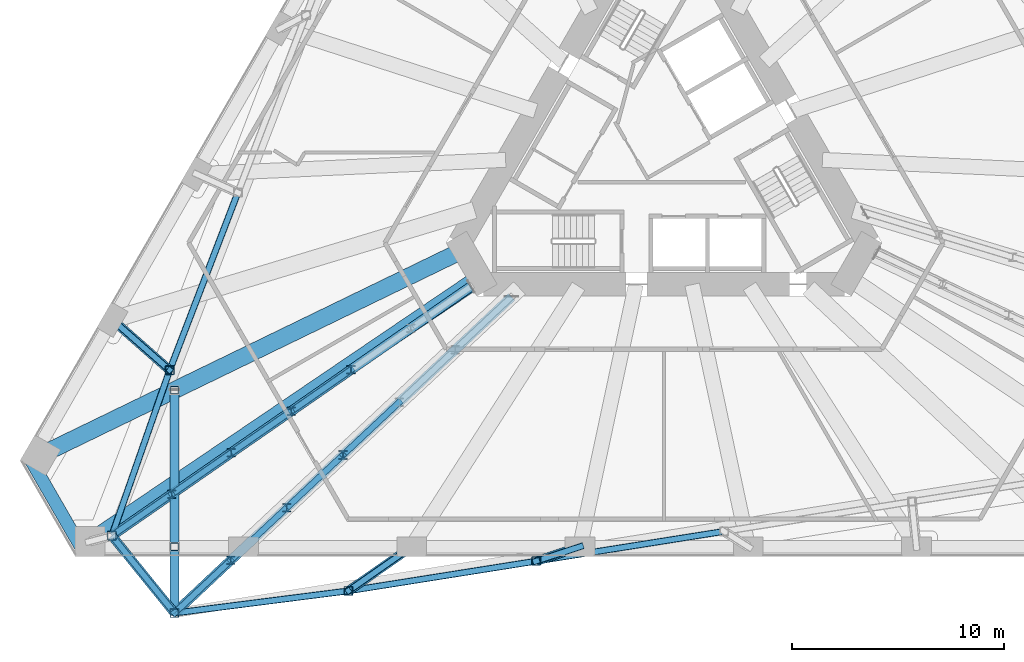
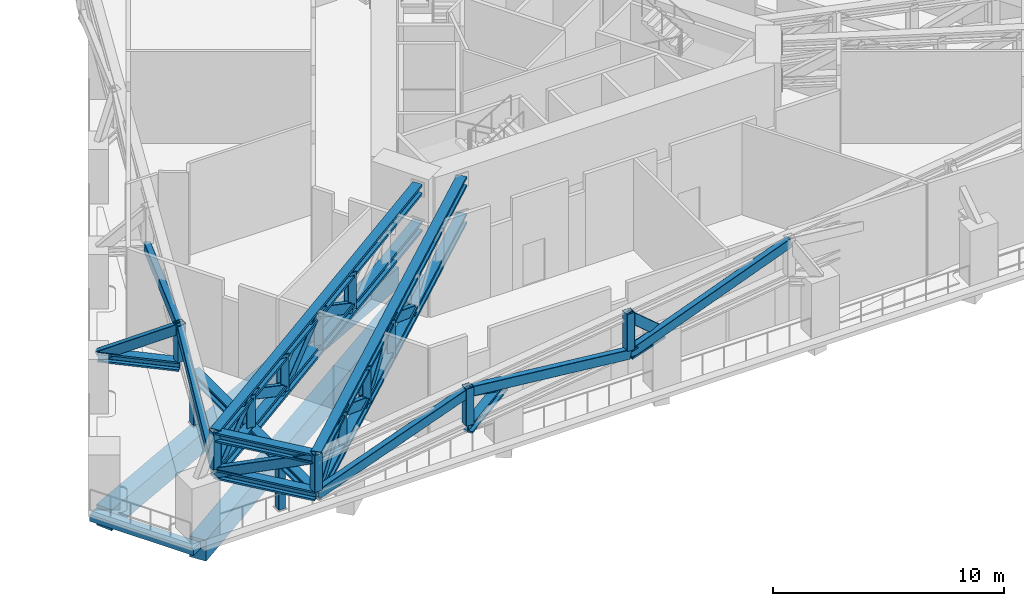
# One storey, part 2 of 20: 41 members, 3 beams.
"""IFC4 building model written with IfcOpenShell, lengths in metres."""

from ifc_helpers import new_model, si_unit, direction, frame, origin, origin_2d, place, context, subcontext, project, spatial, rectangle, hollow_rectangle, i_section, extrude, material, material_profile, profile_set, type_object, element, save


model = new_model("IFC4")

# Units and contexts
model_context = context("Model", 3, precision=1e-05, world=origin(), true_north=direction((0.0, 1.0)))
body_context = subcontext(model_context, "Body", "Model", "MODEL_VIEW")
ifc_project = project(units=[si_unit("LENGTHUNIT", "METRE"), si_unit("AREAUNIT", "SQUARE_METRE"), si_unit("VOLUMEUNIT", "CUBIC_METRE"), si_unit("PLANEANGLEUNIT", "RADIAN"), si_unit("MASSUNIT", "GRAM", prefix="KILO")], contexts=[model_context])

# Site, building, storey
site_placement = place(None, origin())
site = spatial("IfcSite", under=ifc_project, at=site_placement, CompositionType="ELEMENT")
building_placement = place(site_placement, origin())
building = spatial("IfcBuilding", under=site, at=building_placement, Name="Tramontana Tower", CompositionType="ELEMENT")
storey_placement = place(building_placement, frame((0.0, 0.0, 46.0)))
storey = spatial("IfcBuildingStorey", under=building, at=storey_placement, Name="L09", CompositionType="ELEMENT", Elevation=46.0)

# Members
ifc_material_1 = material(Name="Steel ASTM A500 Grade C", Category="steel")
ifc_material_profile_1 = material_profile(ifc_material_1, hollow_rectangle(XDim=0.406494140625, YDim=0.406494140625, WallThickness=0.0146484375, InnerFilletRadius=0.0146484375, OuterFilletRadius=0.029541015625, at=origin_2d()), Name="HSS16X16X5/8")
ifc_profile_set_1 = profile_set([ifc_material_profile_1], Name="Steel ASTM A500 Grade C")
member_type_1 = type_object("IfcMemberType", Name="Belt truss HSS16X16X5/8 post", PredefinedType="POST", material=ifc_profile_set_1)
for number, where, z_axis, x_axis, name in (
    (1, (-23.26513671875, -10.240478515625, 2.8984375), (0.0, 0.0, 1.0), (1.0, 0.0, 0.0), "Belt truss post C1F05"),
    (2, (-25.98779296875, -18.03125, 2.8984375), (0.0, 0.0, 1.0), (1.0, 0.0, 0.0), "Belt truss post C1K2"),
    (3, (-23.040283203125, -21.671142578125, 2.8984375), (0.0, 0.0, 1.0), (1.0, 0.0, 0.0), "Belt truss post C1K3"),
    (4, (-14.85400390625, -20.627685546875, 2.8984375), (0.0, 0.0, 1.0), (1.0, 0.0, 0.0), "Belt truss post C1F06"),
    (5, (-6.01513671875, -19.227783203125, 2.8984375), (0.0, 0.0, 1.0), (1.0, 0.0, 0.0), "Belt truss post C1F07"),
):
    element("IfcMember", number, at=place(storey_placement, frame(where, z_axis=z_axis, x_axis=x_axis)), inside=storey, type_object=member_type_1, Name=name, PredefinedType="POST", context=body_context, shape_type="SweptSolid", body=[
        extrude(hollow_rectangle(XDim=0.406494140625, YDim=0.406494140625, WallThickness=0.0146484375, InnerFilletRadius=0.0146484375, OuterFilletRadius=0.029541015625, at=origin_2d()), origin(), (0.0, 0.0, 1.0), 1.95166015625),
    ])
ifc_material_2 = material(Name="Steel ASTM A500 Grade C", Category="steel")
ifc_material_profile_2 = material_profile(ifc_material_2, hollow_rectangle(XDim=0.3046875, YDim=0.508056640625, WallThickness=0.0146484375, InnerFilletRadius=0.0146484375, OuterFilletRadius=0.029541015625, at=origin_2d()), Name="HSS20X12X5/8")
ifc_profile_set_2 = profile_set([ifc_material_profile_2], Name="Steel ASTM A500 Grade C")
member_type_2 = type_object("IfcMemberType", Name="Belt truss HSS20X12X5/8 brace", PredefinedType="BRACE", material=ifc_profile_set_2)
member_1_placement = place(storey_placement, frame((-20.05810546875, -1.885986328125, 2.649169921875), z_axis=(-0.350141864286, -0.912138748163, 0.213081155839), x_axis=(0.933578849976, -0.358372056496, 0.0)))
element("IfcMember", 6, at=member_1_placement, inside=storey, type_object=member_type_2, Name="Belt truss diagonal S0.5", PredefinedType="BRACE", context=body_context, shape_type="SweptSolid", body=[
    extrude(hollow_rectangle(XDim=0.3046875, YDim=0.508056640625, WallThickness=0.0146484375, InnerFilletRadius=0.0146484375, OuterFilletRadius=0.029541015625, at=origin_2d()), origin(), (0.0, 0.0, 1.0), 9.1591796875),
])
member_2_placement = place(storey_placement, frame((-23.26513671875, -10.240478515625, 4.600830078125), z_axis=(-0.321051090004, -0.918674796729, -0.23013651484), x_axis=(0.9440136764, -0.329906318173, 0.0)))
element("IfcMember", 7, at=member_2_placement, inside=storey, type_object=member_type_2, Name="Belt truss diagonal S0.6", PredefinedType="BRACE", context=body_context, shape_type="SweptSolid", body=[
    extrude(hollow_rectangle(XDim=0.3046875, YDim=0.508056640625, WallThickness=0.0146484375, InnerFilletRadius=0.0146484375, OuterFilletRadius=0.029541015625, at=origin_2d()), origin(), (0.0, 0.0, 1.0), 8.48046875),
])
member_3_placement = place(storey_placement, frame((-23.040283203125, -21.671142578125, 2.649169921875), z_axis=(0.965346017755, 0.1230469977, 0.230144524945), x_axis=(-0.126441124966, 0.991974113532, 0.0)))
element("IfcMember", 8, at=member_3_placement, inside=storey, type_object=member_type_2, Name="Belt truss diagonal S1.1", PredefinedType="BRACE", context=body_context, shape_type="SweptSolid", body=[
    extrude(hollow_rectangle(XDim=0.3046875, YDim=0.508056640625, WallThickness=0.0146484375, InnerFilletRadius=0.0146484375, OuterFilletRadius=0.029541015625, at=origin_2d()), origin(), (0.0, 0.0, 1.0), 8.480224609375),
])
member_4_placement = place(storey_placement, frame((-14.85400390625, -20.627685546875, 4.600830078125), z_axis=(0.965006947837, 0.15283807974, -0.21307771354), x_axis=(-0.156430465615, 0.987688974034, 0.0)))
element("IfcMember", 9, at=member_4_placement, inside=storey, type_object=member_type_2, Name="Belt truss diagonal S1.2", PredefinedType="BRACE", context=body_context, shape_type="SweptSolid", body=[
    extrude(hollow_rectangle(XDim=0.3046875, YDim=0.508056640625, WallThickness=0.0146484375, InnerFilletRadius=0.0146484375, OuterFilletRadius=0.029541015625, at=origin_2d()), origin(), (0.0, 0.0, 1.0), 9.159423828125),
])
member_5_placement = place(storey_placement, frame((-6.01513671875, -19.227783203125, 2.649169921875), z_axis=(0.965005114946, 0.152842011135, 0.213083194456), x_axis=(-0.156434680801, 0.987688306422, 0.0)))
element("IfcMember", 10, at=member_5_placement, inside=storey, type_object=member_type_2, Name="Belt truss diagonal S1.3", PredefinedType="BRACE", context=body_context, shape_type="SweptSolid", body=[
    extrude(hollow_rectangle(XDim=0.3046875, YDim=0.508056640625, WallThickness=0.0146484375, InnerFilletRadius=0.0146484375, OuterFilletRadius=0.029541015625, at=origin_2d()), origin(), (0.0, 0.0, 1.0), 9.1591796875),
])
member_6_placement = place(storey_placement, frame((-25.98779296875, -18.03125, 2.649169921875), z_axis=(0.580903063244, -0.717359709261, 0.384638373857), x_axis=(0.777147749846, 0.629318182567, 0.0)))
element("IfcMember", 11, at=member_6_placement, inside=storey, type_object=member_type_2, Name="Belt truss diagonal K1.1", PredefinedType="BRACE", context=body_context, shape_type="SweptSolid", body=[
    extrude(hollow_rectangle(XDim=0.3046875, YDim=0.508056640625, WallThickness=0.0146484375, InnerFilletRadius=0.0146484375, OuterFilletRadius=0.029541015625, at=origin_2d()), origin(), (0.0, 0.0, 1.0), 5.073974609375),
])
ifc_material_3 = material(Name="Steel ASTM A992 Grade 50", Category="steel")
ifc_material_profile_3 = material_profile(ifc_material_3, i_section(OverallWidth=0.431884765625, OverallDepth=0.49853515625, WebThickness=0.0556640625, FlangeThickness=0.0888671875, FilletRadius=0.01513671875, at=origin_2d()), Name="W14X500")
ifc_profile_set_3 = profile_set([ifc_material_profile_3], Name="Steel ASTM A992 Grade 50")
member_type_3 = type_object("IfcMemberType", Name="Belt truss W14X500 chord", PredefinedType="CHORD", material=ifc_profile_set_3)
for number, where, z_axis, x_axis, name in (
    (12, (-25.98779296875, -18.03125, 2.649169921875), (0.629318182567, -0.777147749846, 0.0), (0.777147749846, 0.629318182567, 0.0), "Belt truss bottom chord K1"),
    (13, (-25.98779296875, -18.03125, 4.600830078125), (0.629318182567, -0.777147749846, 0.0), (0.777147749846, 0.629318182567, 0.0), "Belt truss top chord K1"),
):
    element("IfcMember", number, at=place(storey_placement, frame(where, z_axis=z_axis, x_axis=x_axis)), inside=storey, type_object=member_type_3, Name=name, PredefinedType="CHORD", context=body_context, shape_type="SweptSolid", body=[
        extrude(i_section(OverallWidth=0.431884765625, OverallDepth=0.49853515625, WebThickness=0.0556640625, FlangeThickness=0.0888671875, FilletRadius=0.01513671875, at=origin_2d()), origin(), (0.0, 0.0, 1.0), 4.68359375),
    ])

# Beams
ifc_material_4 = material(Name="Concrete 40 MPa", Category="concrete")
ifc_material_profile_4 = material_profile(ifc_material_4, rectangle(XDim=0.60009765625, YDim=0.35009765625, at=origin_2d()), Name="RC EDGE BEAM 600X350 40 MPa")
ifc_profile_set_4 = profile_set([ifc_material_profile_4], Name="Concrete 40 MPa")
beam_type_1 = type_object("IfcBeamType", Name="RC EDGE BEAM 600X350 40 MPa", PredefinedType="SPANDREL", material=ifc_profile_set_4)
beam_1_placement = place(storey_placement, frame((-29.921142578125, -14.27490234375, -0.52490234375), z_axis=(0.50000986103, -0.866019710441, 0.0), x_axis=(0.866019710441, 0.50000986103, 0.0)))
element("IfcBeam", 14, at=beam_1_placement, inside=storey, type_object=beam_type_1, Name="Spandrel beam K1 L09", PredefinedType="SPANDREL", context=body_context, shape_type="SweptSolid", body=[
    extrude(rectangle(XDim=0.60009765625, YDim=0.35009765625, at=origin_2d()), origin(), (0.0, 0.0, 1.0), 5.1962890625),
])
ifc_material_5 = material(Name="Concrete 40 MPa", Category="concrete")
ifc_material_profile_5 = material_profile(ifc_material_5, rectangle(XDim=0.800048828125, YDim=1.10009765625, at=origin_2d()), Name="RC GIRDER 800X1100 40 MPa")
ifc_profile_set_5 = profile_set([ifc_material_profile_5], Name="Concrete 40 MPa")
beam_type_2 = type_object("IfcBeamType", Name="RC GIRDER 800X1100 40 MPa", PredefinedType="BEAM", material=ifc_profile_set_5)
beam_2_placement = place(storey_placement, frame((-29.354736328125, -14.243896484375, -0.89990234375), z_axis=(0.899679009302, 0.436552036098, 0.0), x_axis=(-0.436552036098, 0.899679009302, 0.0)))
element("IfcBeam", 15, at=beam_2_placement, inside=storey, type_object=beam_type_2, Name="Radial girder C0K2 L09", PredefinedType="BEAM", context=body_context, shape_type="SweptSolid", body=[
    extrude(rectangle(XDim=0.800048828125, YDim=1.10009765625, at=origin_2d()), origin(), (0.0, 0.0, 1.0), 22.149658203125),
])
beam_3_placement = place(storey_placement, frame((-27.0126953125, -18.300048828125, -0.89990234375), z_axis=(0.827898052271, 0.560878609903, 0.0), x_axis=(-0.560878609903, 0.827898052271, 0.0)))
element("IfcBeam", 16, at=beam_3_placement, inside=storey, type_object=beam_type_2, Name="Radial girder C0K3 L09", PredefinedType="BEAM", context=body_context, shape_type="SweptSolid", body=[
    extrude(rectangle(XDim=0.800048828125, YDim=1.10009765625, at=origin_2d()), origin(), (0.0, 0.0, 1.0), 22.1494140625),
])

# Members
ifc_material_6 = material(Name="Steel ASTM A500 Grade C", Category="steel")
ifc_material_profile_6 = material_profile(ifc_material_6, hollow_rectangle(XDim=0.355712890625, YDim=0.355712890625, WallThickness=0.01171875, InnerFilletRadius=0.01171875, OuterFilletRadius=0.023681640625, at=origin_2d()), Name="HSS14X14X1/2")
ifc_profile_set_6 = profile_set([ifc_material_profile_6], Name="Steel ASTM A500 Grade C")
member_type_4 = type_object("IfcMemberType", Name="Transfer truss HSS14X14X1/2 post", PredefinedType="POST", material=ifc_profile_set_6)
for number, where, z_axis, x_axis, name in (
    (17, (-23.040283203125, -18.550048828125, 0.0400390625), (0.0, 0.0, 1.0), (1.0, 0.0, 0.0), "Transfer truss post C1K3.1"),
    (18, (-23.040283203125, -11.179931640625, 0.0400390625), (0.0, 0.0, 1.0), (1.0, 0.0, 0.0), "Transfer truss post C1K3.2"),
):
    element("IfcMember", number, at=place(storey_placement, frame(where, z_axis=z_axis, x_axis=x_axis)), inside=storey, type_object=member_type_4, Name=name, PredefinedType="POST", context=body_context, shape_type="SweptSolid", body=[
        extrude(hollow_rectangle(XDim=0.355712890625, YDim=0.355712890625, WallThickness=0.01171875, InnerFilletRadius=0.01171875, OuterFilletRadius=0.023681640625, at=origin_2d()), origin(), (0.0, 0.0, 1.0), 2.35986328125),
    ])
ifc_material_7 = material(Name="Steel ASTM A500 Grade C", Category="steel")
ifc_material_profile_7 = material_profile(ifc_material_7, hollow_rectangle(XDim=0.3046875, YDim=0.508056640625, WallThickness=0.0146484375, InnerFilletRadius=0.0146484375, OuterFilletRadius=0.029541015625, at=origin_2d()), Name="HSS20X12X5/8")
ifc_profile_set_7 = profile_set([ifc_material_profile_7], Name="Steel ASTM A500 Grade C")
member_type_5 = type_object("IfcMemberType", Name="Transfer truss HSS20X12X5/8 brace", PredefinedType="BRACE", material=ifc_profile_set_7)
member_7_placement = place(storey_placement, frame((-25.962158203125, -7.867919921875, 2.649169921875), z_axis=(0.659737267251, -0.58036813281, 0.477409225528), x_axis=(0.660499183823, 0.750826763088, 0.0)))
element("IfcMember", 19, at=member_7_placement, inside=storey, type_object=member_type_5, Name="Transfer truss strut C1F05 diagonal", PredefinedType="BRACE", context=body_context, shape_type="SweptSolid", body=[
    extrude(hollow_rectangle(XDim=0.3046875, YDim=0.508056640625, WallThickness=0.0146484375, InnerFilletRadius=0.0146484375, OuterFilletRadius=0.029541015625, at=origin_2d()), origin(), (0.0, 0.0, 1.0), 4.088134765625),
])
member_8_placement = place(storey_placement, frame((-11.876953125, -18.550048828125, 2.649169921875), z_axis=(-0.72228770172, -0.504073178747, 0.473508929601), x_axis=(0.572297302366, -0.82004621681, 0.0)))
element("IfcMember", 20, at=member_8_placement, inside=storey, type_object=member_type_5, Name="Transfer truss strut C1F06 diagonal", PredefinedType="BRACE", context=body_context, shape_type="SweptSolid", body=[
    extrude(hollow_rectangle(XDim=0.3046875, YDim=0.508056640625, WallThickness=0.0146484375, InnerFilletRadius=0.0146484375, OuterFilletRadius=0.029541015625, at=origin_2d()), origin(), (0.0, 0.0, 1.0), 4.12158203125),
])
member_9_placement = place(storey_placement, frame((-3.958984375, -18.550048828125, 2.649169921875), z_axis=(-0.705417791526, -0.23251481706, 0.669568965265), x_axis=(0.31304591201, -0.949737993856, 0.0)))
element("IfcMember", 21, at=member_9_placement, inside=storey, type_object=member_type_5, Name="Transfer truss strut C1F07 diagonal", PredefinedType="BRACE", context=body_context, shape_type="SweptSolid", body=[
    extrude(hollow_rectangle(XDim=0.3046875, YDim=0.508056640625, WallThickness=0.0146484375, InnerFilletRadius=0.0146484375, OuterFilletRadius=0.029541015625, at=origin_2d()), origin(), (0.0, 0.0, 1.0), 2.914794921875),
])
member_10_placement = place(storey_placement, frame((-14.731689453125, -10.218505859375, 2.649169921875), z_axis=(-0.713779709555, -0.495422321399, 0.495050754658), x_axis=(0.570195437544, -0.821509076641, 0.0)))
element("IfcMember", 22, at=member_10_placement, inside=storey, type_object=member_type_5, Name="Transfer truss diagonal 1.3", PredefinedType="BRACE", context=body_context, shape_type="SweptSolid", body=[
    extrude(hollow_rectangle(XDim=0.3046875, YDim=0.508056640625, WallThickness=0.0146484375, InnerFilletRadius=0.0146484375, OuterFilletRadius=0.029541015625, at=origin_2d()), origin(), (0.0, 0.0, 1.0), 3.9423828125),
])
member_11_placement = place(storey_placement, frame((-17.545654296875, -12.171630859375, 4.600830078125), z_axis=(-0.713788185859, -0.495447148005, -0.495013685934), x_axis=(0.570210151058, -0.821498864047, 0.0)))
element("IfcMember", 23, at=member_11_placement, inside=storey, type_object=member_type_5, Name="Transfer truss diagonal 1.4", PredefinedType="BRACE", context=body_context, shape_type="SweptSolid", body=[
    extrude(hollow_rectangle(XDim=0.3046875, YDim=0.508056640625, WallThickness=0.0146484375, InnerFilletRadius=0.0146484375, OuterFilletRadius=0.029541015625, at=origin_2d()), origin(), (0.0, 0.0, 1.0), 3.942626953125),
])
member_12_placement = place(storey_placement, frame((-20.35986328125, -14.125, 2.649169921875), z_axis=(-0.713801608248, -0.495375591218, 0.495065942767), x_axis=(0.570147333127, -0.82154246301, 0.0)))
element("IfcMember", 24, at=member_12_placement, inside=storey, type_object=member_type_5, Name="Transfer truss diagonal 1.5", PredefinedType="BRACE", context=body_context, shape_type="SweptSolid", body=[
    extrude(hollow_rectangle(XDim=0.3046875, YDim=0.508056640625, WallThickness=0.0146484375, InnerFilletRadius=0.0146484375, OuterFilletRadius=0.029541015625, at=origin_2d()), origin(), (0.0, 0.0, 1.0), 3.942138671875),
])
member_13_placement = place(storey_placement, frame((-23.173828125, -16.077880859375, 4.600830078125), z_axis=(-0.713757810141, -0.495469047279, -0.495035566048), x_axis=(0.570243536097, -0.82147569017, 0.0)))
element("IfcMember", 25, at=member_13_placement, inside=storey, type_object=member_type_5, Name="Transfer truss diagonal 1.6", PredefinedType="BRACE", context=body_context, shape_type="SweptSolid", body=[
    extrude(hollow_rectangle(XDim=0.3046875, YDim=0.508056640625, WallThickness=0.0146484375, InnerFilletRadius=0.0146484375, OuterFilletRadius=0.029541015625, at=origin_2d()), origin(), (0.0, 0.0, 1.0), 3.9423828125),
])
for number, where, z_axis, x_axis, name in (
    (26, (-12.46435546875, -11.75048828125, 2.649169921875), (-0.642192193499, -0.602403554364, 0.474024413189), (0.684151674122, -0.729339760877, 0.0), "Transfer truss diagonal 2.3"),
    (27, (-15.1083984375, -14.230712890625, 4.600830078125), (-0.642215133372, -0.602365773296, -0.474041345907), (0.684115848707, -0.729373364983, 0.0), "Transfer truss diagonal 2.4"),
    (28, (-17.75244140625, -16.710693359375, 2.649169921875), (-0.642192193499, -0.602403554364, 0.474024413189), (0.684151674122, -0.729339760877, 0.0), "Transfer truss diagonal 2.5"),
):
    element("IfcMember", number, at=place(storey_placement, frame(where, z_axis=z_axis, x_axis=x_axis)), inside=storey, type_object=member_type_5, Name=name, PredefinedType="BRACE", context=body_context, shape_type="SweptSolid", body=[
        extrude(hollow_rectangle(XDim=0.3046875, YDim=0.508056640625, WallThickness=0.0146484375, InnerFilletRadius=0.0146484375, OuterFilletRadius=0.029541015625, at=origin_2d()), origin(), (0.0, 0.0, 1.0), 4.1171875),
    ])
member_14_placement = place(storey_placement, frame((-20.396484375, -19.19091796875, 4.600830078125), z_axis=(-0.642157348925, -0.602426494388, -0.474042464429), x_axis=(0.684185278485, -0.729308237102, 0.0)))
element("IfcMember", 29, at=member_14_placement, inside=storey, type_object=member_type_5, Name="Transfer truss diagonal 2.6", PredefinedType="BRACE", context=body_context, shape_type="SweptSolid", body=[
    extrude(hollow_rectangle(XDim=0.3046875, YDim=0.508056640625, WallThickness=0.0146484375, InnerFilletRadius=0.0146484375, OuterFilletRadius=0.029541015625, at=origin_2d()), origin(), (0.0, 0.0, 1.0), 4.116943359375),
])
ifc_material_8 = material(Name="Steel ASTM A992 Grade 50", Category="steel")
ifc_material_profile_8 = material_profile(ifc_material_8, i_section(OverallWidth=0.4033203125, OverallDepth=0.406494140625, WebThickness=0.027099609375, FlangeThickness=0.04443359375, FilletRadius=0.01513671875, at=origin_2d()), Name="W14X233")
ifc_profile_set_8 = profile_set([ifc_material_profile_8], Name="Steel ASTM A992 Grade 50")
member_type_6 = type_object("IfcMemberType", Name="Transfer truss W14X233 post", PredefinedType="POST", material=ifc_profile_set_8)
for number, where, z_axis, x_axis, name in (
    (30, (-14.731689453125, -10.218505859375, 2.649169921875), (0.0, 0.0, 1.0), (1.0, 0.0, 0.0), "Transfer truss post 1.2"),
    (31, (-17.545654296875, -12.171630859375, 2.649169921875), (0.0, 0.0, 1.0), (1.0, 0.0, 0.0), "Transfer truss post 1.3"),
    (32, (-20.35986328125, -14.125, 2.649169921875), (0.0, 0.0, 1.0), (1.0, 0.0, 0.0), "Transfer truss post 1.4"),
    (33, (-23.173828125, -16.077880859375, 2.649169921875), (0.0, 0.0, 1.0), (1.0, 0.0, 0.0), "Transfer truss post 1.5"),
    (34, (-15.1083984375, -14.230712890625, 2.649169921875), (0.0, 0.0, 1.0), (1.0, 0.0, 0.0), "Transfer truss post 2.3"),
    (35, (-17.75244140625, -16.710693359375, 2.649169921875), (0.0, 0.0, 1.0), (1.0, 0.0, 0.0), "Transfer truss post 2.4"),
    (36, (-20.396484375, -19.19091796875, 2.649169921875), (0.0, 0.0, 1.0), (1.0, 0.0, 0.0), "Transfer truss post 2.5"),
):
    element("IfcMember", number, at=place(storey_placement, frame(where, z_axis=z_axis, x_axis=x_axis)), inside=storey, type_object=member_type_6, Name=name, PredefinedType="POST", context=body_context, shape_type="SweptSolid", body=[
        extrude(i_section(OverallWidth=0.4033203125, OverallDepth=0.406494140625, WebThickness=0.027099609375, FlangeThickness=0.04443359375, FilletRadius=0.01513671875, at=origin_2d()), origin(), (0.0, 0.0, 1.0), 1.95166015625),
    ])
ifc_material_9 = material(Name="Steel ASTM A992 Grade 50", Category="steel")
ifc_material_profile_9 = material_profile(ifc_material_9, i_section(OverallWidth=0.431884765625, OverallDepth=0.49853515625, WebThickness=0.0556640625, FlangeThickness=0.0888671875, FilletRadius=0.01513671875, at=origin_2d()), Name="W14X500")
ifc_profile_set_9 = profile_set([ifc_material_profile_9], Name="Steel ASTM A992 Grade 50")
member_type_7 = type_object("IfcMemberType", Name="Transfer truss W14X500 chord", PredefinedType="CHORD", material=ifc_profile_set_9)
member_15_placement = place(storey_placement, frame((-23.040283203125, -21.671142578125, 2.649169921875), z_axis=(0.0, 1.0, 0.0), x_axis=(-1.0, 0.0, 0.0)))
element("IfcMember", 37, at=member_15_placement, inside=storey, type_object=member_type_7, Name="Transfer truss girder C1K3", PredefinedType="CHORD", context=body_context, shape_type="SweptSolid", body=[
    extrude(i_section(OverallWidth=0.431884765625, OverallDepth=0.49853515625, WebThickness=0.0556640625, FlangeThickness=0.0888671875, FilletRadius=0.01513671875, at=origin_2d()), origin(), (0.0, 0.0, 1.0), 10.4912109375),
])
ifc_material_10 = material(Name="Steel ASTM A992 Grade 50", Category="steel")
ifc_material_profile_10 = material_profile(ifc_material_10, i_section(OverallWidth=0.431884765625, OverallDepth=0.49853515625, WebThickness=0.0556640625, FlangeThickness=0.0888671875, FilletRadius=0.01513671875, at=origin_2d()), Name="W14X500")
ifc_profile_set_10 = profile_set([ifc_material_profile_10], Name="Steel ASTM A992 Grade 50")
member_type_8 = type_object("IfcMemberType", Name="Transfer truss W14X500 strut", PredefinedType="STRUT", material=ifc_profile_set_10)
member_16_placement = place(storey_placement, frame((-25.962158203125, -7.867919921875, 2.649169921875), z_axis=(0.750826763088, -0.660499183823, 0.0), x_axis=(0.660499183823, 0.750826763088, 0.0)))
element("IfcMember", 38, at=member_16_placement, inside=storey, type_object=member_type_8, Name="Transfer truss strut C1F05 bottom", PredefinedType="STRUT", context=body_context, shape_type="SweptSolid", body=[
    extrude(i_section(OverallWidth=0.431884765625, OverallDepth=0.49853515625, WebThickness=0.0556640625, FlangeThickness=0.0888671875, FilletRadius=0.01513671875, at=origin_2d()), origin(), (0.0, 0.0, 1.0), 3.592041015625),
])
member_17_placement = place(storey_placement, frame((-11.876953125, -18.550048828125, 2.649169921875), z_axis=(-0.82004621681, -0.572297302366, 0.0), x_axis=(0.572297302366, -0.82004621681, 0.0)))
element("IfcMember", 39, at=member_17_placement, inside=storey, type_object=member_type_8, Name="Transfer truss strut C1F06 bottom", PredefinedType="STRUT", context=body_context, shape_type="SweptSolid", body=[
    extrude(i_section(OverallWidth=0.431884765625, OverallDepth=0.49853515625, WebThickness=0.0556640625, FlangeThickness=0.0888671875, FilletRadius=0.01513671875, at=origin_2d()), origin(), (0.0, 0.0, 1.0), 3.63037109375),
])
member_18_placement = place(storey_placement, frame((-3.958984375, -18.550048828125, 2.649169921875), z_axis=(-0.949737993856, -0.31304591201, 0.0), x_axis=(0.31304591201, -0.949737993856, 0.0)))
element("IfcMember", 40, at=member_18_placement, inside=storey, type_object=member_type_8, Name="Transfer truss strut C1F07 bottom", PredefinedType="STRUT", context=body_context, shape_type="SweptSolid", body=[
    extrude(i_section(OverallWidth=0.431884765625, OverallDepth=0.49853515625, WebThickness=0.0556640625, FlangeThickness=0.0888671875, FilletRadius=0.01513671875, at=origin_2d()), origin(), (0.0, 0.0, 1.0), 2.1650390625),
])
ifc_material_11 = material(Name="Steel ASTM A992 Grade 50", Category="steel")
ifc_material_profile_11 = material_profile(ifc_material_11, i_section(OverallWidth=0.4541015625, OverallDepth=0.568359375, WebThickness=0.077880859375, FlangeThickness=0.12548828125, FilletRadius=0.01513671875, at=origin_2d()), Name="W14X730")
ifc_profile_set_11 = profile_set([ifc_material_profile_11], Name="Steel ASTM A992 Grade 50")
member_type_9 = type_object("IfcMemberType", Name="Transfer truss W14X730 chord", PredefinedType="CHORD", material=ifc_profile_set_11)
for number, where, z_axis, x_axis, name in (
    (41, (-9.103515625, -6.312255859375, 2.649169921875), (-0.82151123649, -0.570192325729, 0.0), (0.570192325729, -0.82151123649, 0.0), "Transfer truss bottom chord 1"),
    (42, (-9.103515625, -6.312255859375, 4.600830078125), (-0.82151123649, -0.570192325729, 0.0), (0.570192325729, -0.82151123649, 0.0), "Transfer truss top chord 1"),
):
    element("IfcMember", number, at=place(storey_placement, frame(where, z_axis=z_axis, x_axis=x_axis)), inside=storey, type_object=member_type_9, Name=name, PredefinedType="CHORD", context=body_context, shape_type="SweptSolid", body=[
        extrude(i_section(OverallWidth=0.4541015625, OverallDepth=0.568359375, WebThickness=0.077880859375, FlangeThickness=0.12548828125, FilletRadius=0.01513671875, at=origin_2d()), origin(), (0.0, 0.0, 1.0), 20.552734375),
    ])
for number, where, z_axis, x_axis, name in (
    (43, (-7.176513671875, -6.7900390625, 2.649169921875), (-0.729334854162, -0.684156904887, 0.0), (0.684156904887, -0.729334854162, 0.0), "Transfer truss bottom chord 2"),
    (44, (-7.176513671875, -6.7900390625, 4.600830078125), (-0.729334854162, -0.684156904887, 0.0), (0.684156904887, -0.729334854162, 0.0), "Transfer truss top chord 2"),
):
    element("IfcMember", number, at=place(storey_placement, frame(where, z_axis=z_axis, x_axis=x_axis)), inside=storey, type_object=member_type_9, Name=name, PredefinedType="CHORD", context=body_context, shape_type="SweptSolid", body=[
        extrude(i_section(OverallWidth=0.4541015625, OverallDepth=0.568359375, WebThickness=0.077880859375, FlangeThickness=0.12548828125, FilletRadius=0.01513671875, at=origin_2d()), origin(), (0.0, 0.0, 1.0), 21.7509765625),
    ])

save(model, "model.ifc")
